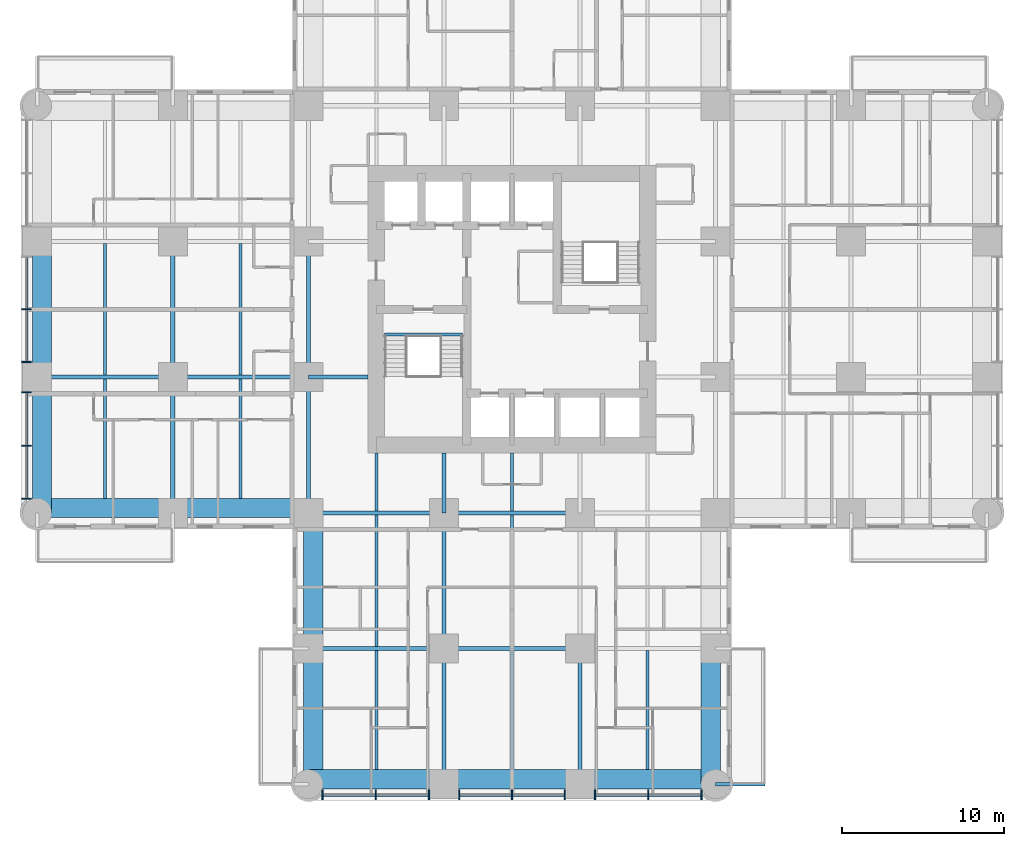
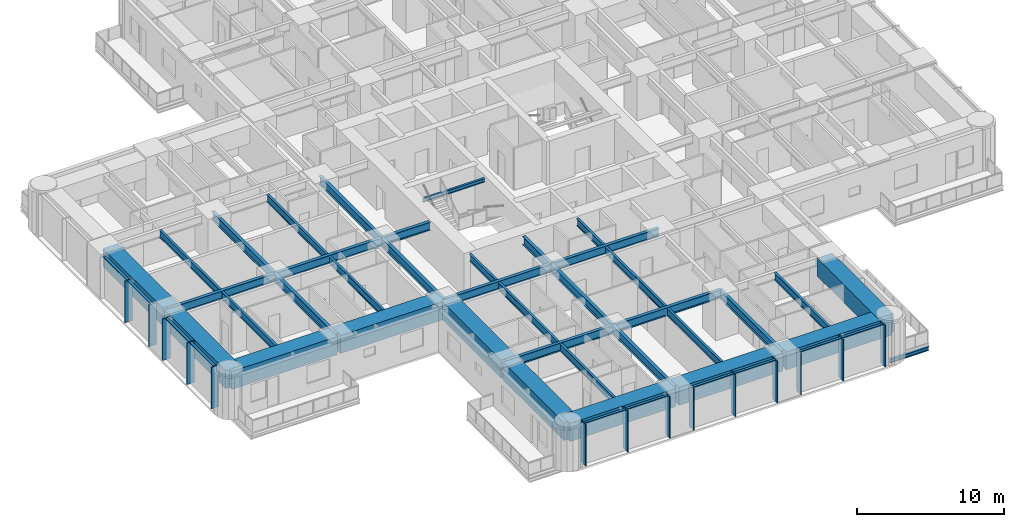
# One storey, part 2 of 17: 38 beams, 24 members, 2 elements without a shape of their own.
"""IFC4 building model written with IfcOpenShell, lengths in metres."""

from ifc_helpers import new_model, si_unit, direction, frame, origin, origin_2d, place, context, subcontext, project, spatial, rectangle, i_section, extrude, material, material_profile, profile_set, type_object, element, aggregate, save


model = new_model("IFC4")

# Units and contexts
model_context = context("Model", 3, precision=1e-05, world=origin(), true_north=direction((0.0, 1.0)))
body_context = subcontext(model_context, "Body", "Model", "MODEL_VIEW")
ifc_project = project(units=[si_unit("LENGTHUNIT", "METRE"), si_unit("AREAUNIT", "SQUARE_METRE"), si_unit("VOLUMEUNIT", "CUBIC_METRE"), si_unit("PLANEANGLEUNIT", "RADIAN"), si_unit("MASSUNIT", "GRAM", prefix="KILO")], contexts=[model_context])

# Site, building, storey
site_placement = place(None, origin())
site = spatial("IfcSite", under=ifc_project, at=site_placement, CompositionType="ELEMENT")
building_placement = place(site_placement, origin())
building = spatial("IfcBuilding", under=site, at=building_placement, Name="Torre Alcanfor", CompositionType="ELEMENT")
storey_placement = place(building_placement, frame((0.0, 0.0, 70.5)))
storey = spatial("IfcBuildingStorey", under=building, at=storey_placement, Name="L17", CompositionType="ELEMENT", Elevation=70.5)

# Beam
ifc_material_1 = material(Name="Steel ASTM A992 Grade 50", Category="steel")
ifc_material_profile_1 = material_profile(ifc_material_1, i_section(OverallWidth=0.205322265625, OverallDepth=0.309814453125, WebThickness=0.00927734375, FlangeThickness=0.016357421875, at=origin_2d()), Name="W12x50")
ifc_profile_set_1 = profile_set([ifc_material_profile_1], Name="Steel ASTM A992 Grade 50")
beam_type_1 = type_object("IfcBeamType", Name="Balcony cantilever beam W12x50", PredefinedType="BEAM", material=ifc_profile_set_1)
beam_1_placement = place(storey_placement, frame((42.0, 0.0, -0.35498046875), z_axis=(1.0, 0.0, 0.0), x_axis=(0.0, 1.0, 0.0)))
element("IfcBeam", 1, at=beam_1_placement, inside=storey, type_object=beam_type_1, Name="Balcony cantilever beam L17-S1 2", PredefinedType="BEAM", context=body_context, shape_type="SweptSolid", body=[
    extrude(i_section(OverallWidth=0.205322265625, OverallDepth=0.309814453125, WebThickness=0.00927734375, FlangeThickness=0.016357421875, at=origin_2d()), origin(), (0.0, 0.0, 1.0), 3.050048828125),
])

# Curtain wall, members
ifc_material_2 = material(Name="Aluminium and glass", Category="aluminium")
curtain_wall_type = type_object("IfcCurtainWallType", Name="CW-A unitised apartment glazing with vertical FIN", PredefinedType="NOTDEFINED", material=ifc_material_2)
curtain_wall_1_placement = place(storey_placement, origin())
curtain_wall_1 = element("IfcCurtainWall", 2, at=curtain_wall_1_placement, inside=storey, type_object=curtain_wall_type, Name="Curtain wall CW-A L17 2", PredefinedType="NOTDEFINED")
ifc_material_3 = material(Name="Bronze anodised aluminium", Category="aluminium")
ifc_material_profile_2 = material_profile(ifc_material_3, rectangle(XDim=0.60009765625, YDim=0.06494140625, at=origin_2d()), Name="CW-A mullion 65x600")
ifc_profile_set_2 = profile_set([ifc_material_profile_2], Name="Bronze anodised aluminium")
member_type_1 = type_object("IfcMemberType", Name="CW-A mullion with vertical FIN 65x600", PredefinedType="MULLION", material=ifc_profile_set_2)
member_1_placement = place(storey_placement, frame((-0.64990234375, 29.39990234375, 0.0), z_axis=(0.0, 0.0, 1.0), x_axis=(1.0, 0.0, 0.0)))
member_1 = element("IfcMember", 3, at=member_1_placement, type_object=member_type_1, Name="CW-A mullion 2.2", PredefinedType="MULLION", context=body_context, shape_type="SweptSolid", body=[
    extrude(rectangle(XDim=0.60009765625, YDim=0.06494140625, at=origin_2d()), origin(), (0.0, 0.0, 1.0), 3.449951171875),
])
member_2_placement = place(storey_placement, frame((-0.64990234375, 26.137451171875, 0.0), z_axis=(0.0, 0.0, 1.0), x_axis=(1.0, 0.0, 0.0)))
member_2 = element("IfcMember", 4, at=member_2_placement, type_object=member_type_1, Name="CW-A mullion 2.3", PredefinedType="MULLION", context=body_context, shape_type="SweptSolid", body=[
    extrude(rectangle(XDim=0.60009765625, YDim=0.06494140625, at=origin_2d()), origin(), (0.0, 0.0, 1.0), 3.449951171875),
])
member_3_placement = place(storey_placement, frame((-0.64990234375, 24.262451171875, 0.0), z_axis=(0.0, 0.0, 1.0), x_axis=(1.0, 0.0, 0.0)))
member_3 = element("IfcMember", 5, at=member_3_placement, type_object=member_type_1, Name="CW-A mullion 3.1", PredefinedType="MULLION", context=body_context, shape_type="SweptSolid", body=[
    extrude(rectangle(XDim=0.60009765625, YDim=0.06494140625, at=origin_2d()), origin(), (0.0, 0.0, 1.0), 3.449951171875),
])
member_4_placement = place(storey_placement, frame((-0.64990234375, 20.96484375, 0.0), z_axis=(0.0, 0.0, 1.0), x_axis=(1.0, 0.0, 0.0)))
member_4 = element("IfcMember", 6, at=member_4_placement, type_object=member_type_1, Name="CW-A mullion 3.2", PredefinedType="MULLION", context=body_context, shape_type="SweptSolid", body=[
    extrude(rectangle(XDim=0.60009765625, YDim=0.06494140625, at=origin_2d()), origin(), (0.0, 0.0, 1.0), 3.449951171875),
])
member_5_placement = place(storey_placement, frame((-0.64990234375, 17.6669921875, 0.0), z_axis=(0.0, 0.0, 1.0), x_axis=(1.0, 0.0, 0.0)))
member_5 = element("IfcMember", 7, at=member_5_placement, type_object=member_type_1, Name="CW-A mullion 3.3", PredefinedType="MULLION", context=body_context, shape_type="SweptSolid", body=[
    extrude(rectangle(XDim=0.60009765625, YDim=0.06494140625, at=origin_2d()), origin(), (0.0, 0.0, 1.0), 3.449951171875),
])

curtain_wall_2_placement = place(storey_placement, origin())
curtain_wall_2 = element("IfcCurtainWall", 8, at=curtain_wall_2_placement, inside=storey, type_object=curtain_wall_type, Name="Curtain wall CW-A L17 5", PredefinedType="NOTDEFINED")
member_6_placement = place(storey_placement, frame((17.6669921875, -0.64990234375, 0.0), z_axis=(0.0, 0.0, 1.0), x_axis=(0.0, 1.0, 0.0)))
member_6 = element("IfcMember", 9, at=member_6_placement, type_object=member_type_1, Name="CW-A mullion 1.1", PredefinedType="MULLION", context=body_context, shape_type="SweptSolid", body=[
    extrude(rectangle(XDim=0.60009765625, YDim=0.06494140625, at=origin_2d()), origin(), (0.0, 0.0, 1.0), 3.449951171875),
])
member_7_placement = place(storey_placement, frame((20.96484375, -0.64990234375, 0.0), z_axis=(0.0, 0.0, 1.0), x_axis=(0.0, 1.0, 0.0)))
member_7 = element("IfcMember", 10, at=member_7_placement, type_object=member_type_1, Name="CW-A mullion 1.2", PredefinedType="MULLION", context=body_context, shape_type="SweptSolid", body=[
    extrude(rectangle(XDim=0.60009765625, YDim=0.06494140625, at=origin_2d()), origin(), (0.0, 0.0, 1.0), 3.449951171875),
])
member_8_placement = place(storey_placement, frame((24.262451171875, -0.64990234375, 0.0), z_axis=(0.0, 0.0, 1.0), x_axis=(0.0, 1.0, 0.0)))
member_8 = element("IfcMember", 11, at=member_8_placement, type_object=member_type_1, Name="CW-A mullion 1.3", PredefinedType="MULLION", context=body_context, shape_type="SweptSolid", body=[
    extrude(rectangle(XDim=0.60009765625, YDim=0.06494140625, at=origin_2d()), origin(), (0.0, 0.0, 1.0), 3.449951171875),
])
member_9_placement = place(storey_placement, frame((26.137451171875, -0.64990234375, 0.0), z_axis=(0.0, 0.0, 1.0), x_axis=(0.0, 1.0, 0.0)))
member_9 = element("IfcMember", 12, at=member_9_placement, type_object=member_type_1, Name="CW-A mullion 2.1", PredefinedType="MULLION", context=body_context, shape_type="SweptSolid", body=[
    extrude(rectangle(XDim=0.60009765625, YDim=0.06494140625, at=origin_2d()), origin(), (0.0, 0.0, 1.0), 3.449951171875),
])
member_10_placement = place(storey_placement, frame((29.39990234375, -0.64990234375, 0.0), z_axis=(0.0, 0.0, 1.0), x_axis=(0.0, 1.0, 0.0)))
member_10 = element("IfcMember", 13, at=member_10_placement, type_object=member_type_1, Name="CW-A mullion 2.2", PredefinedType="MULLION", context=body_context, shape_type="SweptSolid", body=[
    extrude(rectangle(XDim=0.60009765625, YDim=0.06494140625, at=origin_2d()), origin(), (0.0, 0.0, 1.0), 3.449951171875),
])
member_11_placement = place(storey_placement, frame((32.66259765625, -0.64990234375, 0.0), z_axis=(0.0, 0.0, 1.0), x_axis=(0.0, 1.0, 0.0)))
member_11 = element("IfcMember", 14, at=member_11_placement, type_object=member_type_1, Name="CW-A mullion 2.3", PredefinedType="MULLION", context=body_context, shape_type="SweptSolid", body=[
    extrude(rectangle(XDim=0.60009765625, YDim=0.06494140625, at=origin_2d()), origin(), (0.0, 0.0, 1.0), 3.449951171875),
])
member_12_placement = place(storey_placement, frame((34.53759765625, -0.64990234375, 0.0), z_axis=(0.0, 0.0, 1.0), x_axis=(0.0, 1.0, 0.0)))
member_12 = element("IfcMember", 15, at=member_12_placement, type_object=member_type_1, Name="CW-A mullion 3.1", PredefinedType="MULLION", context=body_context, shape_type="SweptSolid", body=[
    extrude(rectangle(XDim=0.60009765625, YDim=0.06494140625, at=origin_2d()), origin(), (0.0, 0.0, 1.0), 3.449951171875),
])
member_13_placement = place(storey_placement, frame((37.835205078125, -0.64990234375, 0.0), z_axis=(0.0, 0.0, 1.0), x_axis=(0.0, 1.0, 0.0)))
member_13 = element("IfcMember", 16, at=member_13_placement, type_object=member_type_1, Name="CW-A mullion 3.2", PredefinedType="MULLION", context=body_context, shape_type="SweptSolid", body=[
    extrude(rectangle(XDim=0.60009765625, YDim=0.06494140625, at=origin_2d()), origin(), (0.0, 0.0, 1.0), 3.449951171875),
])
member_14_placement = place(storey_placement, frame((41.133056640625, -0.64990234375, 0.0), z_axis=(0.0, 0.0, 1.0), x_axis=(0.0, 1.0, 0.0)))
member_14 = element("IfcMember", 17, at=member_14_placement, type_object=member_type_1, Name="CW-A mullion 3.3", PredefinedType="MULLION", context=body_context, shape_type="SweptSolid", body=[
    extrude(rectangle(XDim=0.60009765625, YDim=0.06494140625, at=origin_2d()), origin(), (0.0, 0.0, 1.0), 3.449951171875),
])

# Member
ifc_material_4 = material(Name="Extruded aluminium", Category="aluminium")
ifc_material_profile_3 = material_profile(ifc_material_4, rectangle(XDim=0.199951171875, YDim=0.06494140625, at=origin_2d()), Name="CW-A transom 200x65")
ifc_profile_set_3 = profile_set([ifc_material_profile_3], Name="Extruded aluminium")
member_type_2 = type_object("IfcMemberType", Name="CW-A transom 65x200", PredefinedType="USERDEFINED", material=ifc_profile_set_3)
member_15_placement = place(storey_placement, frame((-0.64990234375, 32.6298828125, 3.41748046875), z_axis=(0.0, -1.0, 0.0), x_axis=(1.0, 0.0, 0.0)))
member_15 = element("IfcMember", 18, at=member_15_placement, type_object=member_type_2, Name="CW-A transom 2.1.2", ObjectType="TRANSOM", PredefinedType="USERDEFINED", context=body_context, shape_type="SweptSolid", body=[
    extrude(rectangle(XDim=0.199951171875, YDim=0.06494140625, at=origin_2d()), origin(), (0.0, 0.0, 1.0), 3.197265625),
])

member_16_placement = place(storey_placement, frame((-0.64990234375, 29.367431640625, 3.41748046875), z_axis=(0.0, -1.0, 0.0), x_axis=(1.0, 0.0, 0.0)))
member_16 = element("IfcMember", 19, at=member_16_placement, type_object=member_type_2, Name="CW-A transom 2.2.2", ObjectType="TRANSOM", PredefinedType="USERDEFINED", context=body_context, shape_type="SweptSolid", body=[
    extrude(rectangle(XDim=0.199951171875, YDim=0.06494140625, at=origin_2d()), origin(), (0.0, 0.0, 1.0), 3.197509765625),
])

member_17_placement = place(storey_placement, frame((-0.64990234375, 24.22998046875, 3.41748046875), z_axis=(0.0, -1.0, 0.0), x_axis=(1.0, 0.0, 0.0)))
member_17 = element("IfcMember", 20, at=member_17_placement, type_object=member_type_2, Name="CW-A transom 3.1.2", ObjectType="TRANSOM", PredefinedType="USERDEFINED", context=body_context, shape_type="SweptSolid", body=[
    extrude(rectangle(XDim=0.199951171875, YDim=0.06494140625, at=origin_2d()), origin(), (0.0, 0.0, 1.0), 3.232666015625),
])

member_18_placement = place(storey_placement, frame((-0.64990234375, 20.93212890625, 3.41748046875), z_axis=(0.0, -1.0, 0.0), x_axis=(1.0, 0.0, 0.0)))
member_18 = element("IfcMember", 21, at=member_18_placement, type_object=member_type_2, Name="CW-A transom 3.2.2", ObjectType="TRANSOM", PredefinedType="USERDEFINED", context=body_context, shape_type="SweptSolid", body=[
    extrude(rectangle(XDim=0.199951171875, YDim=0.06494140625, at=origin_2d()), origin(), (0.0, 0.0, 1.0), 3.232666015625),
])

aggregate(curtain_wall_1, [member_1, member_2, member_15, member_16, member_3, member_4, member_5, member_17, member_18])

member_19_placement = place(storey_placement, frame((17.699462890625, -0.64990234375, 3.41748046875), z_axis=(1.0, 0.0, 0.0), x_axis=(0.0, 1.0, 0.0)))
member_19 = element("IfcMember", 22, at=member_19_placement, type_object=member_type_2, Name="CW-A transom 1.1.2", ObjectType="TRANSOM", PredefinedType="USERDEFINED", context=body_context, shape_type="SweptSolid", body=[
    extrude(rectangle(XDim=0.199951171875, YDim=0.06494140625, at=origin_2d()), origin(), (0.0, 0.0, 1.0), 3.232666015625),
])

member_20_placement = place(storey_placement, frame((20.997314453125, -0.64990234375, 3.41748046875), z_axis=(1.0, 0.0, 0.0), x_axis=(0.0, 1.0, 0.0)))
member_20 = element("IfcMember", 23, at=member_20_placement, type_object=member_type_2, Name="CW-A transom 1.2.2", ObjectType="TRANSOM", PredefinedType="USERDEFINED", context=body_context, shape_type="SweptSolid", body=[
    extrude(rectangle(XDim=0.199951171875, YDim=0.06494140625, at=origin_2d()), origin(), (0.0, 0.0, 1.0), 3.232666015625),
])

member_21_placement = place(storey_placement, frame((26.169921875, -0.64990234375, 3.41748046875), z_axis=(1.0, 0.0, 0.0), x_axis=(0.0, 1.0, 0.0)))
member_21 = element("IfcMember", 24, at=member_21_placement, type_object=member_type_2, Name="CW-A transom 2.1.2", ObjectType="TRANSOM", PredefinedType="USERDEFINED", context=body_context, shape_type="SweptSolid", body=[
    extrude(rectangle(XDim=0.199951171875, YDim=0.06494140625, at=origin_2d()), origin(), (0.0, 0.0, 1.0), 3.197509765625),
])

member_22_placement = place(storey_placement, frame((29.4326171875, -0.64990234375, 3.41748046875), z_axis=(1.0, 0.0, 0.0), x_axis=(0.0, 1.0, 0.0)))
member_22 = element("IfcMember", 25, at=member_22_placement, type_object=member_type_2, Name="CW-A transom 2.2.2", ObjectType="TRANSOM", PredefinedType="USERDEFINED", context=body_context, shape_type="SweptSolid", body=[
    extrude(rectangle(XDim=0.199951171875, YDim=0.06494140625, at=origin_2d()), origin(), (0.0, 0.0, 1.0), 3.197265625),
])

member_23_placement = place(storey_placement, frame((34.570068359375, -0.64990234375, 3.41748046875), z_axis=(1.0, 0.0, 0.0), x_axis=(0.0, 1.0, 0.0)))
member_23 = element("IfcMember", 26, at=member_23_placement, type_object=member_type_2, Name="CW-A transom 3.1.2", ObjectType="TRANSOM", PredefinedType="USERDEFINED", context=body_context, shape_type="SweptSolid", body=[
    extrude(rectangle(XDim=0.199951171875, YDim=0.06494140625, at=origin_2d()), origin(), (0.0, 0.0, 1.0), 3.232666015625),
])

member_24_placement = place(storey_placement, frame((37.86767578125, -0.64990234375, 3.41748046875), z_axis=(1.0, 0.0, 0.0), x_axis=(0.0, 1.0, 0.0)))
member_24 = element("IfcMember", 27, at=member_24_placement, type_object=member_type_2, Name="CW-A transom 3.2.2", ObjectType="TRANSOM", PredefinedType="USERDEFINED", context=body_context, shape_type="SweptSolid", body=[
    extrude(rectangle(XDim=0.199951171875, YDim=0.06494140625, at=origin_2d()), origin(), (0.0, 0.0, 1.0), 3.23291015625),
])

aggregate(curtain_wall_2, [member_6, member_7, member_8, member_19, member_20, member_9, member_10, member_11, member_21, member_22, member_12, member_13, member_14, member_23, member_24])

# Beams
ifc_material_5 = material(Name="Steel ASTM A992 Grade 50", Category="steel")
ifc_material_profile_4 = material_profile(ifc_material_5, i_section(OverallWidth=0.25390625, OverallDepth=0.683349609375, WebThickness=0.012451171875, FlangeThickness=0.01904296875, at=origin_2d()), Name="W27x94")
ifc_profile_set_4 = profile_set([ifc_material_profile_4], Name="Steel ASTM A992 Grade 50")
beam_type_2 = type_object("IfcBeamType", Name="Girder W27x94", PredefinedType="BEAM", material=ifc_profile_set_4)
beam_2_placement = place(storey_placement, frame((16.800048828125, 8.39990234375, 3.1083984375), z_axis=(1.0, 0.0, 0.0), x_axis=(0.0, 1.0, 0.0)))
element("IfcBeam", 28, at=beam_2_placement, inside=storey, type_object=beam_type_2, Name="Beam 3D-4D under L18", PredefinedType="BEAM", context=body_context, shape_type="SweptSolid", body=[
    extrude(i_section(OverallWidth=0.25390625, OverallDepth=0.683349609375, WebThickness=0.012451171875, FlangeThickness=0.01904296875, at=origin_2d()), origin(), (0.0, 0.0, 1.0), 8.39990234375),
])
beam_3_placement = place(storey_placement, frame((25.199951171875, 8.39990234375, 3.1083984375), z_axis=(1.0, 0.0, 0.0), x_axis=(0.0, 1.0, 0.0)))
element("IfcBeam", 29, at=beam_3_placement, inside=storey, type_object=beam_type_2, Name="Beam 4D-5D under L18", PredefinedType="BEAM", context=body_context, shape_type="SweptSolid", body=[
    extrude(i_section(OverallWidth=0.25390625, OverallDepth=0.683349609375, WebThickness=0.012451171875, FlangeThickness=0.01904296875, at=origin_2d()), origin(), (0.0, 0.0, 1.0), 8.400146484375),
])
beam_4_placement = place(storey_placement, frame((16.800048828125, 16.800048828125, 3.1083984375), z_axis=(1.0, 0.0, 0.0), x_axis=(0.0, 1.0, 0.0)))
element("IfcBeam", 30, at=beam_4_placement, inside=storey, type_object=beam_type_2, Name="Beam 3E-4E under L18", PredefinedType="BEAM", context=body_context, shape_type="SweptSolid", body=[
    extrude(i_section(OverallWidth=0.25390625, OverallDepth=0.683349609375, WebThickness=0.012451171875, FlangeThickness=0.01904296875, at=origin_2d()), origin(), (0.0, 0.0, 1.0), 8.39990234375),
])
beam_5_placement = place(storey_placement, frame((25.199951171875, 16.800048828125, 3.1083984375), z_axis=(1.0, 0.0, 0.0), x_axis=(0.0, 1.0, 0.0)))
element("IfcBeam", 31, at=beam_5_placement, inside=storey, type_object=beam_type_2, Name="Beam 4E-5E under L18", PredefinedType="BEAM", context=body_context, shape_type="SweptSolid", body=[
    extrude(i_section(OverallWidth=0.25390625, OverallDepth=0.683349609375, WebThickness=0.012451171875, FlangeThickness=0.01904296875, at=origin_2d()), origin(), (0.0, 0.0, 1.0), 8.400146484375),
])
beam_6_placement = place(storey_placement, frame((0.0, 25.199951171875, 3.1083984375), z_axis=(1.0, 0.0, 0.0), x_axis=(0.0, 1.0, 0.0)))
element("IfcBeam", 32, at=beam_6_placement, inside=storey, type_object=beam_type_2, Name="Beam 1F-2F under L18", PredefinedType="BEAM", context=body_context, shape_type="SweptSolid", body=[
    extrude(i_section(OverallWidth=0.25390625, OverallDepth=0.683349609375, WebThickness=0.012451171875, FlangeThickness=0.01904296875, at=origin_2d()), origin(), (0.0, 0.0, 1.0), 8.39990234375),
])
beam_7_placement = place(storey_placement, frame((8.39990234375, 25.199951171875, 3.1083984375), z_axis=(1.0, 0.0, 0.0), x_axis=(0.0, 1.0, 0.0)))
element("IfcBeam", 33, at=beam_7_placement, inside=storey, type_object=beam_type_2, Name="Beam 2F-3F under L18", PredefinedType="BEAM", context=body_context, shape_type="SweptSolid", body=[
    extrude(i_section(OverallWidth=0.25390625, OverallDepth=0.683349609375, WebThickness=0.012451171875, FlangeThickness=0.01904296875, at=origin_2d()), origin(), (0.0, 0.0, 1.0), 8.400146484375),
])
beam_8_placement = place(storey_placement, frame((8.39990234375, 16.800048828125, 3.1083984375), z_axis=(0.0, 1.0, 0.0), x_axis=(-1.0, 0.0, 0.0)))
element("IfcBeam", 34, at=beam_8_placement, inside=storey, type_object=beam_type_2, Name="Beam 2E-2F under L18", PredefinedType="BEAM", context=body_context, shape_type="SweptSolid", body=[
    extrude(i_section(OverallWidth=0.25390625, OverallDepth=0.683349609375, WebThickness=0.012451171875, FlangeThickness=0.01904296875, at=origin_2d()), origin(), (0.0, 0.0, 1.0), 8.39990234375),
])
beam_9_placement = place(storey_placement, frame((8.39990234375, 25.199951171875, 3.1083984375), z_axis=(0.0, 1.0, 0.0), x_axis=(-1.0, 0.0, 0.0)))
element("IfcBeam", 35, at=beam_9_placement, inside=storey, type_object=beam_type_2, Name="Beam 2F-2G under L18", PredefinedType="BEAM", context=body_context, shape_type="SweptSolid", body=[
    extrude(i_section(OverallWidth=0.25390625, OverallDepth=0.683349609375, WebThickness=0.012451171875, FlangeThickness=0.01904296875, at=origin_2d()), origin(), (0.0, 0.0, 1.0), 8.400146484375),
])
beam_10_placement = place(storey_placement, frame((16.800048828125, 16.800048828125, 3.1083984375), z_axis=(0.0, 1.0, 0.0), x_axis=(-1.0, 0.0, 0.0)))
element("IfcBeam", 36, at=beam_10_placement, inside=storey, type_object=beam_type_2, Name="Beam 3E-3F under L18", PredefinedType="BEAM", context=body_context, shape_type="SweptSolid", body=[
    extrude(i_section(OverallWidth=0.25390625, OverallDepth=0.683349609375, WebThickness=0.012451171875, FlangeThickness=0.01904296875, at=origin_2d()), origin(), (0.0, 0.0, 1.0), 8.39990234375),
])
beam_11_placement = place(storey_placement, frame((16.800048828125, 25.199951171875, 3.1083984375), z_axis=(0.0, 1.0, 0.0), x_axis=(-1.0, 0.0, 0.0)))
element("IfcBeam", 37, at=beam_11_placement, inside=storey, type_object=beam_type_2, Name="Beam 3F-3G under L18", PredefinedType="BEAM", context=body_context, shape_type="SweptSolid", body=[
    extrude(i_section(OverallWidth=0.25390625, OverallDepth=0.683349609375, WebThickness=0.012451171875, FlangeThickness=0.01904296875, at=origin_2d()), origin(), (0.0, 0.0, 1.0), 8.400146484375),
])
beam_12_placement = place(storey_placement, frame((25.199951171875, 0.0, 3.1083984375), z_axis=(0.0, 1.0, 0.0), x_axis=(-1.0, 0.0, 0.0)))
element("IfcBeam", 38, at=beam_12_placement, inside=storey, type_object=beam_type_2, Name="Beam 4C-4D under L18", PredefinedType="BEAM", context=body_context, shape_type="SweptSolid", body=[
    extrude(i_section(OverallWidth=0.25390625, OverallDepth=0.683349609375, WebThickness=0.012451171875, FlangeThickness=0.01904296875, at=origin_2d()), origin(), (0.0, 0.0, 1.0), 8.39990234375),
])
beam_13_placement = place(storey_placement, frame((25.199951171875, 8.39990234375, 3.1083984375), z_axis=(0.0, 1.0, 0.0), x_axis=(-1.0, 0.0, 0.0)))
element("IfcBeam", 39, at=beam_13_placement, inside=storey, type_object=beam_type_2, Name="Beam 4D-4E under L18", PredefinedType="BEAM", context=body_context, shape_type="SweptSolid", body=[
    extrude(i_section(OverallWidth=0.25390625, OverallDepth=0.683349609375, WebThickness=0.012451171875, FlangeThickness=0.01904296875, at=origin_2d()), origin(), (0.0, 0.0, 1.0), 8.400146484375),
])
beam_14_placement = place(storey_placement, frame((33.60009765625, 0.0, 3.1083984375), z_axis=(0.0, 1.0, 0.0), x_axis=(-1.0, 0.0, 0.0)))
element("IfcBeam", 40, at=beam_14_placement, inside=storey, type_object=beam_type_2, Name="Beam 5C-5D under L18", PredefinedType="BEAM", context=body_context, shape_type="SweptSolid", body=[
    extrude(i_section(OverallWidth=0.25390625, OverallDepth=0.683349609375, WebThickness=0.012451171875, FlangeThickness=0.01904296875, at=origin_2d()), origin(), (0.0, 0.0, 1.0), 8.39990234375),
])
ifc_material_6 = material(Name="Steel ASTM A992 Grade 50", Category="steel")
ifc_material_profile_5 = material_profile(ifc_material_6, i_section(OverallWidth=0.25390625, OverallDepth=0.683349609375, WebThickness=0.012451171875, FlangeThickness=0.01904296875, at=origin_2d()), Name="W27x94")
ifc_profile_set_5 = profile_set([ifc_material_profile_5], Name="Steel ASTM A992 Grade 50")
beam_type_3 = type_object("IfcBeamType", Name="Girder, part bay W27x94", PredefinedType="BEAM", material=ifc_profile_set_5)
for number, where, z_axis, x_axis, name in (
    (41, (25.199951171875, 16.800048828125, 3.1083984375), (0.0, 1.0, 0.0), (-1.0, 0.0, 0.0), "Beam 4E-420_5 under L18"),
    (42, (16.800048828125, 25.199951171875, 3.1083984375), (1.0, 0.0, 0.0), (0.0, 1.0, 0.0), "Beam 3F-20_5F under L18"),
):
    element("IfcBeam", number, at=place(storey_placement, frame(where, z_axis=z_axis, x_axis=x_axis)), inside=storey, type_object=beam_type_3, Name=name, PredefinedType="BEAM", context=body_context, shape_type="SweptSolid", body=[
        extrude(i_section(OverallWidth=0.25390625, OverallDepth=0.683349609375, WebThickness=0.012451171875, FlangeThickness=0.01904296875, at=origin_2d()), origin(), (0.0, 0.0, 1.0), 3.699951171875),
    ])
ifc_material_7 = material(Name="Concrete f'c 70 MPa", Category="concrete")
ifc_material_profile_6 = material_profile(ifc_material_7, rectangle(XDim=1.199951171875, YDim=1.5, at=origin_2d()), Name="1200x1500")
ifc_profile_set_6 = profile_set([ifc_material_profile_6], Name="Concrete f'c 70 MPa")
beam_type_4 = type_object("IfcBeamType", Name="RC perimeter beam 1200x1500", PredefinedType="BEAM", material=ifc_profile_set_6)
beam_15_placement = place(storey_placement, frame((16.800048828125, 0.300048828125, 2.699951171875), z_axis=(1.0, 0.0, 0.0), x_axis=(0.0, 1.0, 0.0)))
element("IfcBeam", 43, at=beam_15_placement, inside=storey, type_object=beam_type_4, Name="Beam 3C-4C under L18", PredefinedType="BEAM", context=body_context, shape_type="SweptSolid", body=[
    extrude(rectangle(XDim=1.199951171875, YDim=1.5, at=origin_2d()), origin(), (0.0, 0.0, 1.0), 8.27294921875),
])
beam_16_placement = place(storey_placement, frame((25.326904296875, 0.300048828125, 2.699951171875), z_axis=(1.0, 0.0, 0.0), x_axis=(0.0, 1.0, 0.0)))
element("IfcBeam", 44, at=beam_16_placement, inside=storey, type_object=beam_type_4, Name="Beam 4C-5C under L18", PredefinedType="BEAM", context=body_context, shape_type="SweptSolid", body=[
    extrude(rectangle(XDim=1.199951171875, YDim=1.5, at=origin_2d()), origin(), (0.0, 0.0, 1.0), 8.14599609375),
])
for number, where, z_axis, x_axis, name in (
    (45, (33.72705078125, 0.300048828125, 2.699951171875), (1.0, 0.0, 0.0), (0.0, 1.0, 0.0), "Beam 5C-6C under L18"),
    (46, (0.0, 17.10009765625, 2.699951171875), (1.0, 0.0, 0.0), (0.0, 1.0, 0.0), "Beam 1E-2E under L18"),
):
    element("IfcBeam", number, at=place(storey_placement, frame(where, z_axis=z_axis, x_axis=x_axis)), inside=storey, type_object=beam_type_4, Name=name, PredefinedType="BEAM", context=body_context, shape_type="SweptSolid", body=[
        extrude(rectangle(XDim=1.199951171875, YDim=1.5, at=origin_2d()), origin(), (0.0, 0.0, 1.0), 8.27294921875),
    ])
beam_17_placement = place(storey_placement, frame((8.527099609375, 17.10009765625, 2.699951171875), z_axis=(1.0, 0.0, 0.0), x_axis=(0.0, 1.0, 0.0)))
element("IfcBeam", 47, at=beam_17_placement, inside=storey, type_object=beam_type_4, Name="Beam 2E-3E under L18", PredefinedType="BEAM", context=body_context, shape_type="SweptSolid", body=[
    extrude(rectangle(XDim=1.199951171875, YDim=1.5, at=origin_2d()), origin(), (0.0, 0.0, 1.0), 8.14599609375),
])
beam_18_placement = place(storey_placement, frame((0.300048828125, 16.800048828125, 2.699951171875), z_axis=(0.0, 1.0, 0.0), x_axis=(-1.0, 0.0, 0.0)))
element("IfcBeam", 48, at=beam_18_placement, inside=storey, type_object=beam_type_4, Name="Beam 1E-1F under L18", PredefinedType="BEAM", context=body_context, shape_type="SweptSolid", body=[
    extrude(rectangle(XDim=1.199951171875, YDim=1.5, at=origin_2d()), origin(), (0.0, 0.0, 1.0), 8.27294921875),
])
beam_19_placement = place(storey_placement, frame((0.300048828125, 25.326904296875, 2.699951171875), z_axis=(0.0, 1.0, 0.0), x_axis=(-1.0, 0.0, 0.0)))
element("IfcBeam", 49, at=beam_19_placement, inside=storey, type_object=beam_type_4, Name="Beam 1F-1G under L18", PredefinedType="BEAM", context=body_context, shape_type="SweptSolid", body=[
    extrude(rectangle(XDim=1.199951171875, YDim=1.5, at=origin_2d()), origin(), (0.0, 0.0, 1.0), 8.14599609375),
])
beam_20_placement = place(storey_placement, frame((17.10009765625, 0.0, 2.699951171875), z_axis=(0.0, 1.0, 0.0), x_axis=(-1.0, 0.0, 0.0)))
element("IfcBeam", 50, at=beam_20_placement, inside=storey, type_object=beam_type_4, Name="Beam 3C-3D under L18", PredefinedType="BEAM", context=body_context, shape_type="SweptSolid", body=[
    extrude(rectangle(XDim=1.199951171875, YDim=1.5, at=origin_2d()), origin(), (0.0, 0.0, 1.0), 8.27294921875),
])
beam_21_placement = place(storey_placement, frame((17.10009765625, 8.527099609375, 2.699951171875), z_axis=(0.0, 1.0, 0.0), x_axis=(-1.0, 0.0, 0.0)))
element("IfcBeam", 51, at=beam_21_placement, inside=storey, type_object=beam_type_4, Name="Beam 3D-3E under L18", PredefinedType="BEAM", context=body_context, shape_type="SweptSolid", body=[
    extrude(rectangle(XDim=1.199951171875, YDim=1.5, at=origin_2d()), origin(), (0.0, 0.0, 1.0), 8.14599609375),
])
beam_22_placement = place(storey_placement, frame((41.699951171875, 0.0, 2.699951171875), z_axis=(0.0, 1.0, 0.0), x_axis=(-1.0, 0.0, 0.0)))
element("IfcBeam", 52, at=beam_22_placement, inside=storey, type_object=beam_type_4, Name="Beam 6C-6D under L18", PredefinedType="BEAM", context=body_context, shape_type="SweptSolid", body=[
    extrude(rectangle(XDim=1.199951171875, YDim=1.5, at=origin_2d()), origin(), (0.0, 0.0, 1.0), 8.27294921875),
])
ifc_material_8 = material(Name="Steel ASTM A992 Grade 50", Category="steel")
ifc_material_profile_7 = material_profile(ifc_material_8, i_section(OverallWidth=0.1787109375, OverallDepth=0.60205078125, WebThickness=0.010986328125, FlangeThickness=0.014892578125, at=origin_2d()), Name="W24x62")
ifc_profile_set_7 = profile_set([ifc_material_profile_7], Name="Steel ASTM A992 Grade 50")
beam_type_5 = type_object("IfcBeamType", Name="Secondary beam W24x62", PredefinedType="BEAM", material=ifc_profile_set_7)
beam_23_placement = place(storey_placement, frame((4.199951171875, 17.699951171875, 3.14892578125), z_axis=(0.0, 1.0, 0.0), x_axis=(-1.0, 0.0, 0.0)))
element("IfcBeam", 53, at=beam_23_placement, inside=storey, type_object=beam_type_5, Name="Beam 4_2E-4_2F under L18", PredefinedType="BEAM", context=body_context, shape_type="SweptSolid", body=[
    extrude(i_section(OverallWidth=0.1787109375, OverallDepth=0.60205078125, WebThickness=0.010986328125, FlangeThickness=0.014892578125, at=origin_2d()), origin(), (0.0, 0.0, 1.0), 7.373046875),
])
beam_24_placement = place(storey_placement, frame((4.199951171875, 25.326904296875, 3.14892578125), z_axis=(0.0, 1.0, 0.0), x_axis=(-1.0, 0.0, 0.0)))
element("IfcBeam", 54, at=beam_24_placement, inside=storey, type_object=beam_type_5, Name="Beam 4_2F-4_2G under L18", PredefinedType="BEAM", context=body_context, shape_type="SweptSolid", body=[
    extrude(i_section(OverallWidth=0.1787109375, OverallDepth=0.60205078125, WebThickness=0.010986328125, FlangeThickness=0.014892578125, at=origin_2d()), origin(), (0.0, 0.0, 1.0), 8.14599609375),
])
beam_25_placement = place(storey_placement, frame((12.60009765625, 17.699951171875, 3.14892578125), z_axis=(0.0, 1.0, 0.0), x_axis=(-1.0, 0.0, 0.0)))
element("IfcBeam", 55, at=beam_25_placement, inside=storey, type_object=beam_type_5, Name="Beam 12_6E-12_6F under L18", PredefinedType="BEAM", context=body_context, shape_type="SweptSolid", body=[
    extrude(i_section(OverallWidth=0.1787109375, OverallDepth=0.60205078125, WebThickness=0.010986328125, FlangeThickness=0.014892578125, at=origin_2d()), origin(), (0.0, 0.0, 1.0), 7.373046875),
])
beam_26_placement = place(storey_placement, frame((12.60009765625, 25.326904296875, 3.14892578125), z_axis=(0.0, 1.0, 0.0), x_axis=(-1.0, 0.0, 0.0)))
element("IfcBeam", 56, at=beam_26_placement, inside=storey, type_object=beam_type_5, Name="Beam 12_6F-12_6G under L18", PredefinedType="BEAM", context=body_context, shape_type="SweptSolid", body=[
    extrude(i_section(OverallWidth=0.1787109375, OverallDepth=0.60205078125, WebThickness=0.010986328125, FlangeThickness=0.014892578125, at=origin_2d()), origin(), (0.0, 0.0, 1.0), 8.14599609375),
])
beam_27_placement = place(storey_placement, frame((21.0, 0.89990234375, 3.14892578125), z_axis=(0.0, 1.0, 0.0), x_axis=(-1.0, 0.0, 0.0)))
element("IfcBeam", 57, at=beam_27_placement, inside=storey, type_object=beam_type_5, Name="Beam 21C-21D under L18", PredefinedType="BEAM", context=body_context, shape_type="SweptSolid", body=[
    extrude(i_section(OverallWidth=0.1787109375, OverallDepth=0.60205078125, WebThickness=0.010986328125, FlangeThickness=0.014892578125, at=origin_2d()), origin(), (0.0, 0.0, 1.0), 7.373046875),
])
beam_28_placement = place(storey_placement, frame((21.0, 8.527099609375, 3.14892578125), z_axis=(0.0, 1.0, 0.0), x_axis=(-1.0, 0.0, 0.0)))
element("IfcBeam", 58, at=beam_28_placement, inside=storey, type_object=beam_type_5, Name="Beam 21D-21E under L18", PredefinedType="BEAM", context=body_context, shape_type="SweptSolid", body=[
    extrude(i_section(OverallWidth=0.1787109375, OverallDepth=0.60205078125, WebThickness=0.010986328125, FlangeThickness=0.014892578125, at=origin_2d()), origin(), (0.0, 0.0, 1.0), 8.14599609375),
])
beam_29_placement = place(storey_placement, frame((29.39990234375, 0.89990234375, 3.14892578125), z_axis=(0.0, 1.0, 0.0), x_axis=(-1.0, 0.0, 0.0)))
element("IfcBeam", 59, at=beam_29_placement, inside=storey, type_object=beam_type_5, Name="Beam 29_4C-29_4D under L18", PredefinedType="BEAM", context=body_context, shape_type="SweptSolid", body=[
    extrude(i_section(OverallWidth=0.1787109375, OverallDepth=0.60205078125, WebThickness=0.010986328125, FlangeThickness=0.014892578125, at=origin_2d()), origin(), (0.0, 0.0, 1.0), 7.373046875),
])
beam_30_placement = place(storey_placement, frame((29.39990234375, 8.527099609375, 3.14892578125), z_axis=(0.0, 1.0, 0.0), x_axis=(-1.0, 0.0, 0.0)))
element("IfcBeam", 60, at=beam_30_placement, inside=storey, type_object=beam_type_5, Name="Beam 29_4D-29_4E under L18", PredefinedType="BEAM", context=body_context, shape_type="SweptSolid", body=[
    extrude(i_section(OverallWidth=0.1787109375, OverallDepth=0.60205078125, WebThickness=0.010986328125, FlangeThickness=0.014892578125, at=origin_2d()), origin(), (0.0, 0.0, 1.0), 8.14599609375),
])
beam_31_placement = place(storey_placement, frame((37.800048828125, 0.89990234375, 3.14892578125), z_axis=(0.0, 1.0, 0.0), x_axis=(-1.0, 0.0, 0.0)))
element("IfcBeam", 61, at=beam_31_placement, inside=storey, type_object=beam_type_5, Name="Beam 37_8C-37_8D under L18", PredefinedType="BEAM", context=body_context, shape_type="SweptSolid", body=[
    extrude(i_section(OverallWidth=0.1787109375, OverallDepth=0.60205078125, WebThickness=0.010986328125, FlangeThickness=0.014892578125, at=origin_2d()), origin(), (0.0, 0.0, 1.0), 7.373046875),
])
ifc_material_9 = material(Name="Steel ASTM A992 Grade 50", Category="steel")
ifc_material_profile_8 = material_profile(ifc_material_9, i_section(OverallWidth=0.1787109375, OverallDepth=0.60205078125, WebThickness=0.010986328125, FlangeThickness=0.014892578125, at=origin_2d()), Name="W24x62")
ifc_profile_set_8 = profile_set([ifc_material_profile_8], Name="Steel ASTM A992 Grade 50")
beam_type_6 = type_object("IfcBeamType", Name="Secondary beam, part bay W24x62", PredefinedType="BEAM", material=ifc_profile_set_8)
for number, where, z_axis, x_axis, name in (
    (62, (21.0, 16.927001953125, 3.14892578125), (0.0, 1.0, 0.0), (-1.0, 0.0, 0.0), "Beam 21E-2120_5 under L18"),
    (63, (29.39990234375, 16.927001953125, 3.14892578125), (0.0, 1.0, 0.0), (-1.0, 0.0, 0.0), "Beam 29_4E-29_420_5 under L18"),
):
    element("IfcBeam", number, at=place(storey_placement, frame(where, z_axis=z_axis, x_axis=x_axis)), inside=storey, type_object=beam_type_6, Name=name, PredefinedType="BEAM", context=body_context, shape_type="SweptSolid", body=[
        extrude(i_section(OverallWidth=0.1787109375, OverallDepth=0.60205078125, WebThickness=0.010986328125, FlangeThickness=0.014892578125, at=origin_2d()), origin(), (0.0, 0.0, 1.0), 3.572998046875),
    ])
ifc_material_10 = material(Name="Steel ASTM A992 Grade 50", Category="steel")
ifc_material_profile_9 = material_profile(ifc_material_10, i_section(OverallWidth=0.164794921875, OverallDepth=0.309814453125, WebThickness=0.005859375, FlangeThickness=0.009765625, at=origin_2d()), Name="W12x26")
ifc_profile_set_9 = profile_set([ifc_material_profile_9], Name="Steel ASTM A992 Grade 50")
beam_type_7 = type_object("IfcBeamType", Name="Stair landing beam W12x26", PredefinedType="BEAM", material=ifc_profile_set_9)
beam_32_placement = place(storey_placement, frame((21.5, 27.83740234375, 3.2451171875), z_axis=(1.0, 0.0, 0.0), x_axis=(0.0, 1.0, 0.0)))
element("IfcBeam", 64, at=beam_32_placement, inside=storey, type_object=beam_type_7, Name="Landing trimmer S1 L18", PredefinedType="BEAM", context=body_context, shape_type="SweptSolid", body=[
    extrude(i_section(OverallWidth=0.164794921875, OverallDepth=0.309814453125, WebThickness=0.005859375, FlangeThickness=0.009765625, at=origin_2d()), origin(), (0.0, 0.0, 1.0), 4.85009765625),
])

save(model, "model.ifc")
